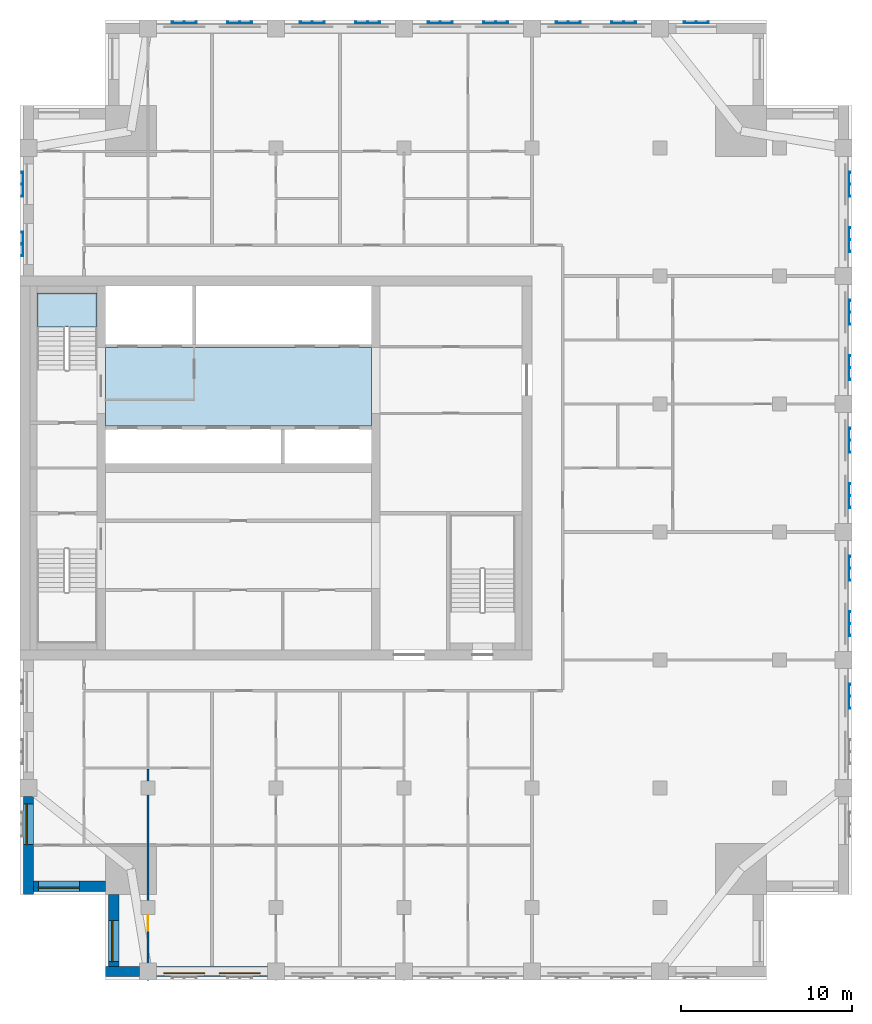
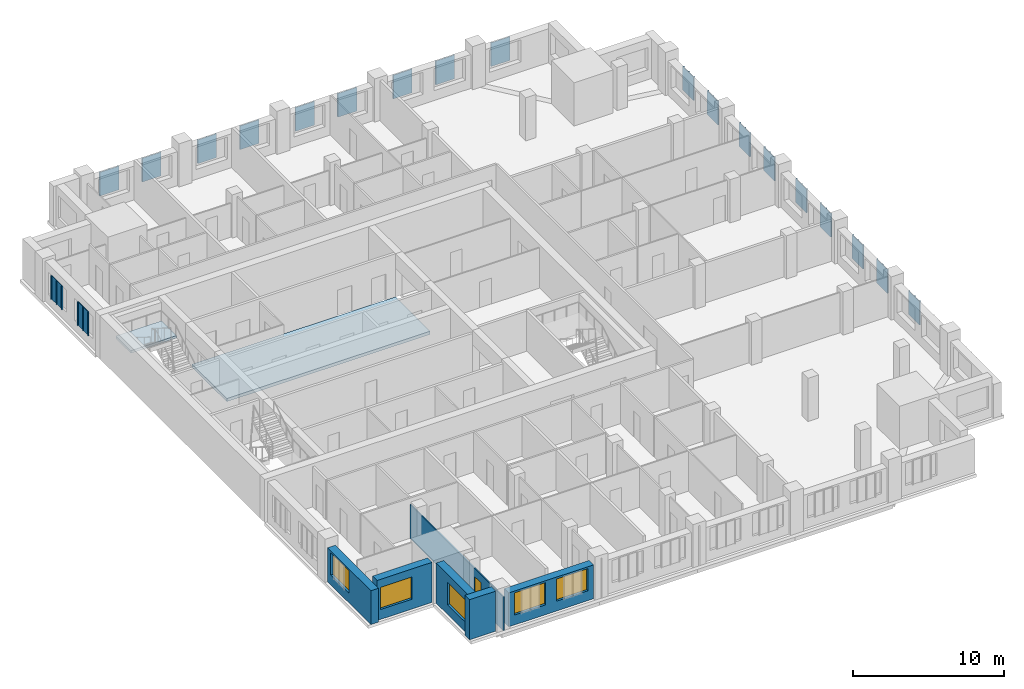
# One storey, part 2 of 10: 20 plates, 6 walls, 5 windows, 2 slabs, 1 door, 6 openings, 1 element without a shape of its own.
"""IFC4 building model written with IfcOpenShell, lengths in metres."""

from ifc_helpers import new_model, si_unit, direction, frame, frame_2d, origin, place, context, subcontext, project, spatial, polyline, rectangle, outline, extrude, material, layer, layer_set, type_object, element, fill, aggregate, save


model = new_model("IFC4")

# Units and contexts
model_context = context("Model", 3, precision=1e-05, world=origin(), true_north=direction((0.0, 1.0)))
body_context = subcontext(model_context, "Body", "Model", "MODEL_VIEW")
ifc_project = project(units=[si_unit("LENGTHUNIT", "METRE"), si_unit("AREAUNIT", "SQUARE_METRE"), si_unit("VOLUMEUNIT", "CUBIC_METRE"), si_unit("PLANEANGLEUNIT", "RADIAN"), si_unit("MASSUNIT", "GRAM", prefix="KILO")], contexts=[model_context])

# Site, building, storey
site_placement = place(None, origin())
site = spatial("IfcSite", under=ifc_project, at=site_placement, CompositionType="ELEMENT")
building_placement = place(site_placement, origin())
building = spatial("IfcBuilding", under=site, at=building_placement, Name="Tamorin Gate", CompositionType="ELEMENT")
storey_placement = place(building_placement, frame((0.0, 0.0, 223.199951171875)))
storey = spatial("IfcBuildingStorey", under=building, at=storey_placement, Name="L55", CompositionType="ELEMENT", Elevation=223.199951171875)

# Slab
ifc_material_1 = material(Name="Concrete C40/50", Category="concrete")
ifc_layer_1 = layer(ifc_material_1, 0.25)
ifc_layer_set_1 = layer_set([ifc_layer_1], Name="Core floor slab 250 C40/50")
slab_type_1 = type_object("IfcSlabType", Name="Core floor slab 250 C40/50", PredefinedType="FLOOR", material=ifc_layer_set_1)
slab_1_placement = place(storey_placement, frame((0.0, 0.0, -0.25)))
element("IfcSlab", 1, at=slab_1_placement, inside=storey, type_object=slab_type_1, Name="Core floor L55", PredefinedType="FLOOR", context=body_context, shape_type="SweptSolid", body=[
    extrude(outline(polyline([(50.60009765625, 73.699951171875), (35.0, 73.699951171875), (35.0, 78.300048828125), (50.60009765625, 78.300048828125), (50.60009765625, 73.699951171875)])), origin(), (0.0, 0.0, 1.0), 0.25),
])

# Stair, slab
stair_type = type_object("IfcStairType", Name="Exit stair", PredefinedType="HALF_TURN_STAIR", material=ifc_material_1)
stair_placement = place(storey_placement, origin())
stair = element("IfcStair", 2, at=stair_placement, inside=storey, type_object=stair_type, Name="L55 stair ST2", PredefinedType="HALF_TURN_STAIR")
ifc_layer_2 = layer(ifc_material_1, 0.199951171875)
ifc_layer_set_2 = layer_set([ifc_layer_2], Name="Exit stair landing 200")
slab_type_2 = type_object("IfcSlabType", Name="Exit stair landing 200", PredefinedType="LANDING", material=ifc_layer_set_2)
slab_2_placement = place(storey_placement, frame((0.0, 0.0, 1.550048828125)))
slab_2 = element("IfcSlab", 3, at=slab_2_placement, type_object=slab_type_2, Name="ST2 landing 1", PredefinedType="LANDING", context=body_context, shape_type="SweptSolid", body=[
    extrude(outline(polyline([(34.5, 79.52001953125), (34.5, 81.5), (31.0, 81.5), (31.0, 79.52001953125), (34.5, 79.52001953125)])), origin(), (0.0, 0.0, 1.0), 0.199951171875),
])
aggregate(stair, [slab_2])

# Plates
ifc_material_2 = material(Name="Perforated pale aluminium sheet", Category="aluminium")
ifc_layer_3 = layer(ifc_material_2, 0.0400390625)
ifc_layer_set_3 = layer_set([ifc_layer_3], Name="Pale metal solar screen 1440")
plate_type = type_object("IfcPlateType", Name="Pale metal solar screen 1440", PredefinedType="SHEET", material=ifc_layer_set_3)
plate_1_placement = place(storey_placement, frame((0.0, 0.0, 0.737548828125)))
element("IfcPlate", 4, at=plate_1_placement, inside=storey, type_object=plate_type, Name="Perforated solar screen", PredefinedType="SHEET", context=body_context, shape_type="SweptSolid", body=[
    extrude(outline(polyline([(78.590087890625, 57.155029296875), (78.550048828125, 57.155029296875), (78.550048828125, 57.215087890625), (78.550048828125, 57.844970703125), (78.550048828125, 57.905029296875), (78.550048828125, 58.534912109375), (78.550048828125, 58.594970703125), (78.590087890625, 58.594970703125), (78.64990234375, 58.594970703125), (78.64990234375, 58.534912109375), (78.590087890625, 58.534912109375), (78.590087890625, 57.905029296875), (78.64990234375, 57.905029296875), (78.64990234375, 57.844970703125), (78.590087890625, 57.844970703125), (78.590087890625, 57.215087890625), (78.64990234375, 57.215087890625), (78.64990234375, 57.155029296875), (78.590087890625, 57.155029296875)])), origin(), (0.0, 0.0, 1.0), 1.925048828125),
])
plate_2_placement = place(storey_placement, frame((0.0, 0.0, 0.737548828125)))
element("IfcPlate", 5, at=plate_2_placement, inside=storey, type_object=plate_type, Name="Perforated solar screen", PredefinedType="SHEET", context=body_context, shape_type="SweptSolid", body=[
    extrude(outline(polyline([(78.590087890625, 61.405029296875), (78.550048828125, 61.405029296875), (78.550048828125, 61.465087890625), (78.550048828125, 62.094970703125), (78.550048828125, 62.155029296875), (78.550048828125, 62.784912109375), (78.550048828125, 62.844970703125), (78.590087890625, 62.844970703125), (78.64990234375, 62.844970703125), (78.64990234375, 62.784912109375), (78.590087890625, 62.784912109375), (78.590087890625, 62.155029296875), (78.64990234375, 62.155029296875), (78.64990234375, 62.094970703125), (78.590087890625, 62.094970703125), (78.590087890625, 61.465087890625), (78.64990234375, 61.465087890625), (78.64990234375, 61.405029296875), (78.590087890625, 61.405029296875)])), origin(), (0.0, 0.0, 1.0), 1.925048828125),
])
plate_3_placement = place(storey_placement, frame((0.0, 0.0, 0.737548828125)))
element("IfcPlate", 6, at=plate_3_placement, inside=storey, type_object=plate_type, Name="Perforated solar screen", PredefinedType="SHEET", context=body_context, shape_type="SweptSolid", body=[
    extrude(outline(polyline([(78.590087890625, 64.655029296875), (78.550048828125, 64.655029296875), (78.550048828125, 64.715087890625), (78.550048828125, 65.344970703125), (78.550048828125, 65.405029296875), (78.550048828125, 66.034912109375), (78.550048828125, 66.094970703125), (78.590087890625, 66.094970703125), (78.64990234375, 66.094970703125), (78.64990234375, 66.034912109375), (78.590087890625, 66.034912109375), (78.590087890625, 65.405029296875), (78.64990234375, 65.405029296875), (78.64990234375, 65.344970703125), (78.590087890625, 65.344970703125), (78.590087890625, 64.715087890625), (78.64990234375, 64.715087890625), (78.64990234375, 64.655029296875), (78.590087890625, 64.655029296875)])), origin(), (0.0, 0.0, 1.0), 1.925048828125),
])
plate_4_placement = place(storey_placement, frame((0.0, 0.0, 0.737548828125)))
element("IfcPlate", 7, at=plate_4_placement, inside=storey, type_object=plate_type, Name="Perforated solar screen", PredefinedType="SHEET", context=body_context, shape_type="SweptSolid", body=[
    extrude(outline(polyline([(78.590087890625, 68.905029296875), (78.550048828125, 68.905029296875), (78.550048828125, 68.965087890625), (78.550048828125, 69.594970703125), (78.550048828125, 69.655029296875), (78.550048828125, 70.284912109375), (78.550048828125, 70.344970703125), (78.590087890625, 70.344970703125), (78.64990234375, 70.344970703125), (78.64990234375, 70.284912109375), (78.590087890625, 70.284912109375), (78.590087890625, 69.655029296875), (78.64990234375, 69.655029296875), (78.64990234375, 69.594970703125), (78.590087890625, 69.594970703125), (78.590087890625, 68.965087890625), (78.64990234375, 68.965087890625), (78.64990234375, 68.905029296875), (78.590087890625, 68.905029296875)])), origin(), (0.0, 0.0, 1.0), 1.925048828125),
])
plate_5_placement = place(storey_placement, frame((0.0, 0.0, 0.737548828125)))
element("IfcPlate", 8, at=plate_5_placement, inside=storey, type_object=plate_type, Name="Perforated solar screen", PredefinedType="SHEET", context=body_context, shape_type="SweptSolid", body=[
    extrude(outline(polyline([(78.590087890625, 72.155029296875), (78.550048828125, 72.155029296875), (78.550048828125, 72.215087890625), (78.550048828125, 72.844970703125), (78.550048828125, 72.905029296875), (78.550048828125, 73.534912109375), (78.550048828125, 73.594970703125), (78.590087890625, 73.594970703125), (78.64990234375, 73.594970703125), (78.64990234375, 73.534912109375), (78.590087890625, 73.534912109375), (78.590087890625, 72.905029296875), (78.64990234375, 72.905029296875), (78.64990234375, 72.844970703125), (78.590087890625, 72.844970703125), (78.590087890625, 72.215087890625), (78.64990234375, 72.215087890625), (78.64990234375, 72.155029296875), (78.590087890625, 72.155029296875)])), origin(), (0.0, 0.0, 1.0), 1.925048828125),
])
plate_6_placement = place(storey_placement, frame((0.0, 0.0, 0.737548828125)))
element("IfcPlate", 9, at=plate_6_placement, inside=storey, type_object=plate_type, Name="Perforated solar screen", PredefinedType="SHEET", context=body_context, shape_type="SweptSolid", body=[
    extrude(outline(polyline([(78.590087890625, 76.405029296875), (78.550048828125, 76.405029296875), (78.550048828125, 76.465087890625), (78.550048828125, 77.094970703125), (78.550048828125, 77.155029296875), (78.550048828125, 77.784912109375), (78.550048828125, 77.844970703125), (78.590087890625, 77.844970703125), (78.64990234375, 77.844970703125), (78.64990234375, 77.784912109375), (78.590087890625, 77.784912109375), (78.590087890625, 77.155029296875), (78.64990234375, 77.155029296875), (78.64990234375, 77.094970703125), (78.590087890625, 77.094970703125), (78.590087890625, 76.465087890625), (78.64990234375, 76.465087890625), (78.64990234375, 76.405029296875), (78.590087890625, 76.405029296875)])), origin(), (0.0, 0.0, 1.0), 1.925048828125),
])
plate_7_placement = place(storey_placement, frame((0.0, 0.0, 0.737548828125)))
element("IfcPlate", 10, at=plate_7_placement, inside=storey, type_object=plate_type, Name="Perforated solar screen", PredefinedType="SHEET", context=body_context, shape_type="SweptSolid", body=[
    extrude(outline(polyline([(78.590087890625, 79.655029296875), (78.550048828125, 79.655029296875), (78.550048828125, 79.715087890625), (78.550048828125, 80.344970703125), (78.550048828125, 80.405029296875), (78.550048828125, 81.034912109375), (78.550048828125, 81.094970703125), (78.590087890625, 81.094970703125), (78.64990234375, 81.094970703125), (78.64990234375, 81.034912109375), (78.590087890625, 81.034912109375), (78.590087890625, 80.405029296875), (78.64990234375, 80.405029296875), (78.64990234375, 80.344970703125), (78.590087890625, 80.344970703125), (78.590087890625, 79.715087890625), (78.64990234375, 79.715087890625), (78.64990234375, 79.655029296875), (78.590087890625, 79.655029296875)])), origin(), (0.0, 0.0, 1.0), 1.925048828125),
])
plate_8_placement = place(storey_placement, frame((0.0, 0.0, 0.737548828125)))
element("IfcPlate", 11, at=plate_8_placement, inside=storey, type_object=plate_type, Name="Perforated solar screen", PredefinedType="SHEET", context=body_context, shape_type="SweptSolid", body=[
    extrude(outline(polyline([(78.590087890625, 83.905029296875), (78.550048828125, 83.905029296875), (78.550048828125, 83.965087890625), (78.550048828125, 84.594970703125), (78.550048828125, 84.655029296875), (78.550048828125, 85.284912109375), (78.550048828125, 85.344970703125), (78.590087890625, 85.344970703125), (78.64990234375, 85.344970703125), (78.64990234375, 85.284912109375), (78.590087890625, 85.284912109375), (78.590087890625, 84.655029296875), (78.64990234375, 84.655029296875), (78.64990234375, 84.594970703125), (78.590087890625, 84.594970703125), (78.590087890625, 83.965087890625), (78.64990234375, 83.965087890625), (78.64990234375, 83.905029296875), (78.590087890625, 83.905029296875)])), origin(), (0.0, 0.0, 1.0), 1.925048828125),
])
plate_9_placement = place(storey_placement, frame((0.0, 0.0, 0.737548828125)))
element("IfcPlate", 12, at=plate_9_placement, inside=storey, type_object=plate_type, Name="Perforated solar screen", PredefinedType="SHEET", context=body_context, shape_type="SweptSolid", body=[
    extrude(outline(polyline([(78.590087890625, 87.155029296875), (78.550048828125, 87.155029296875), (78.550048828125, 87.215087890625), (78.550048828125, 87.844970703125), (78.550048828125, 87.905029296875), (78.550048828125, 88.534912109375), (78.550048828125, 88.594970703125), (78.590087890625, 88.594970703125), (78.64990234375, 88.594970703125), (78.64990234375, 88.534912109375), (78.590087890625, 88.534912109375), (78.590087890625, 87.905029296875), (78.64990234375, 87.905029296875), (78.64990234375, 87.844970703125), (78.590087890625, 87.844970703125), (78.590087890625, 87.215087890625), (78.64990234375, 87.215087890625), (78.64990234375, 87.155029296875), (78.590087890625, 87.155029296875)])), origin(), (0.0, 0.0, 1.0), 1.925048828125),
])
plate_10_placement = place(storey_placement, frame((0.0, 0.0, 0.737548828125)))
element("IfcPlate", 13, at=plate_10_placement, inside=storey, type_object=plate_type, Name="Perforated solar screen", PredefinedType="SHEET", context=body_context, shape_type="SweptSolid", body=[
    extrude(outline(polyline([(70.344970703125, 97.340087890625), (70.344970703125, 97.300048828125), (70.284912109375, 97.300048828125), (69.655029296875, 97.300048828125), (69.594970703125, 97.300048828125), (68.965087890625, 97.300048828125), (68.905029296875, 97.300048828125), (68.905029296875, 97.300048828125), (68.905029296875, 97.340087890625), (68.905029296875, 97.340087890625), (68.905029296875, 97.39990234375), (68.965087890625, 97.39990234375), (68.965087890625, 97.340087890625), (69.594970703125, 97.340087890625), (69.594970703125, 97.39990234375), (69.655029296875, 97.39990234375), (69.655029296875, 97.340087890625), (70.284912109375, 97.340087890625), (70.284912109375, 97.39990234375), (70.344970703125, 97.39990234375), (70.344970703125, 97.340087890625)])), origin(), (0.0, 0.0, 1.0), 1.925048828125),
])
plate_11_placement = place(storey_placement, frame((0.0, 0.0, 0.737548828125)))
element("IfcPlate", 14, at=plate_11_placement, inside=storey, type_object=plate_type, Name="Perforated solar screen", PredefinedType="SHEET", context=body_context, shape_type="SweptSolid", body=[
    extrude(outline(polyline([(62.844970703125, 97.340087890625), (62.844970703125, 97.300048828125), (62.784912109375, 97.300048828125), (62.155029296875, 97.300048828125), (62.094970703125, 97.300048828125), (61.465087890625, 97.300048828125), (61.405029296875, 97.300048828125), (61.405029296875, 97.340087890625), (61.405029296875, 97.39990234375), (61.465087890625, 97.39990234375), (61.465087890625, 97.340087890625), (62.094970703125, 97.340087890625), (62.094970703125, 97.39990234375), (62.155029296875, 97.39990234375), (62.155029296875, 97.340087890625), (62.784912109375, 97.340087890625), (62.784912109375, 97.39990234375), (62.844970703125, 97.39990234375), (62.844970703125, 97.340087890625)])), origin(), (0.0, 0.0, 1.0), 1.925048828125),
])
plate_12_placement = place(storey_placement, frame((0.0, 0.0, 0.737548828125)))
element("IfcPlate", 15, at=plate_12_placement, inside=storey, type_object=plate_type, Name="Perforated solar screen", PredefinedType="SHEET", context=body_context, shape_type="SweptSolid", body=[
    extrude(outline(polyline([(66.094970703125, 97.340087890625), (66.094970703125, 97.300048828125), (66.034912109375, 97.300048828125), (65.405029296875, 97.300048828125), (65.344970703125, 97.300048828125), (64.715087890625, 97.300048828125), (64.655029296875, 97.300048828125), (64.655029296875, 97.340087890625), (64.655029296875, 97.39990234375), (64.715087890625, 97.39990234375), (64.715087890625, 97.340087890625), (65.344970703125, 97.340087890625), (65.344970703125, 97.39990234375), (65.405029296875, 97.39990234375), (65.405029296875, 97.340087890625), (66.034912109375, 97.340087890625), (66.034912109375, 97.39990234375), (66.094970703125, 97.39990234375), (66.094970703125, 97.340087890625)])), origin(), (0.0, 0.0, 1.0), 1.925048828125),
])
plate_13_placement = place(storey_placement, frame((0.0, 0.0, 0.737548828125)))
element("IfcPlate", 16, at=plate_13_placement, inside=storey, type_object=plate_type, Name="Perforated solar screen", PredefinedType="SHEET", context=body_context, shape_type="SweptSolid", body=[
    extrude(outline(polyline([(55.344970703125, 97.340087890625), (55.344970703125, 97.300048828125), (55.284912109375, 97.300048828125), (54.655029296875, 97.300048828125), (54.594970703125, 97.300048828125), (53.965087890625, 97.300048828125), (53.905029296875, 97.300048828125), (53.905029296875, 97.340087890625), (53.905029296875, 97.39990234375), (53.965087890625, 97.39990234375), (53.965087890625, 97.340087890625), (54.594970703125, 97.340087890625), (54.594970703125, 97.39990234375), (54.655029296875, 97.39990234375), (54.655029296875, 97.340087890625), (55.284912109375, 97.340087890625), (55.284912109375, 97.39990234375), (55.344970703125, 97.39990234375), (55.344970703125, 97.340087890625)])), origin(), (0.0, 0.0, 1.0), 1.925048828125),
])
plate_14_placement = place(storey_placement, frame((0.0, 0.0, 0.737548828125)))
element("IfcPlate", 17, at=plate_14_placement, inside=storey, type_object=plate_type, Name="Perforated solar screen", PredefinedType="SHEET", context=body_context, shape_type="SweptSolid", body=[
    extrude(outline(polyline([(58.594970703125, 97.340087890625), (58.594970703125, 97.300048828125), (58.534912109375, 97.300048828125), (57.905029296875, 97.300048828125), (57.844970703125, 97.300048828125), (57.215087890625, 97.300048828125), (57.155029296875, 97.300048828125), (57.155029296875, 97.340087890625), (57.155029296875, 97.39990234375), (57.215087890625, 97.39990234375), (57.215087890625, 97.340087890625), (57.844970703125, 97.340087890625), (57.844970703125, 97.39990234375), (57.905029296875, 97.39990234375), (57.905029296875, 97.340087890625), (58.534912109375, 97.340087890625), (58.534912109375, 97.39990234375), (58.594970703125, 97.39990234375), (58.594970703125, 97.340087890625)])), origin(), (0.0, 0.0, 1.0), 1.925048828125),
])
plate_15_placement = place(storey_placement, frame((0.0, 0.0, 0.737548828125)))
element("IfcPlate", 18, at=plate_15_placement, inside=storey, type_object=plate_type, Name="Perforated solar screen", PredefinedType="SHEET", context=body_context, shape_type="SweptSolid", body=[
    extrude(outline(polyline([(47.844970703125, 97.340087890625), (47.844970703125, 97.300048828125), (47.784912109375, 97.300048828125), (47.155029296875, 97.300048828125), (47.094970703125, 97.300048828125), (46.465087890625, 97.300048828125), (46.405029296875, 97.300048828125), (46.405029296875, 97.340087890625), (46.405029296875, 97.39990234375), (46.465087890625, 97.39990234375), (46.465087890625, 97.340087890625), (47.094970703125, 97.340087890625), (47.094970703125, 97.39990234375), (47.155029296875, 97.39990234375), (47.155029296875, 97.340087890625), (47.784912109375, 97.340087890625), (47.784912109375, 97.39990234375), (47.844970703125, 97.39990234375), (47.844970703125, 97.340087890625)])), origin(), (0.0, 0.0, 1.0), 1.925048828125),
])
plate_16_placement = place(storey_placement, frame((0.0, 0.0, 0.737548828125)))
element("IfcPlate", 19, at=plate_16_placement, inside=storey, type_object=plate_type, Name="Perforated solar screen", PredefinedType="SHEET", context=body_context, shape_type="SweptSolid", body=[
    extrude(outline(polyline([(51.094970703125, 97.340087890625), (51.094970703125, 97.300048828125), (51.034912109375, 97.300048828125), (50.405029296875, 97.300048828125), (50.344970703125, 97.300048828125), (49.715087890625, 97.300048828125), (49.655029296875, 97.300048828125), (49.655029296875, 97.340087890625), (49.655029296875, 97.39990234375), (49.715087890625, 97.39990234375), (49.715087890625, 97.340087890625), (50.344970703125, 97.340087890625), (50.344970703125, 97.39990234375), (50.405029296875, 97.39990234375), (50.405029296875, 97.340087890625), (51.034912109375, 97.340087890625), (51.034912109375, 97.39990234375), (51.094970703125, 97.39990234375), (51.094970703125, 97.340087890625)])), origin(), (0.0, 0.0, 1.0), 1.925048828125),
])
plate_17_placement = place(storey_placement, frame((0.0, 0.0, 0.737548828125)))
element("IfcPlate", 20, at=plate_17_placement, inside=storey, type_object=plate_type, Name="Perforated solar screen", PredefinedType="SHEET", context=body_context, shape_type="SweptSolid", body=[
    extrude(outline(polyline([(40.344970703125, 97.340087890625), (40.344970703125, 97.300048828125), (40.284912109375, 97.300048828125), (39.655029296875, 97.300048828125), (39.594970703125, 97.300048828125), (38.965087890625, 97.300048828125), (38.905029296875, 97.300048828125), (38.905029296875, 97.340087890625), (38.905029296875, 97.39990234375), (38.965087890625, 97.39990234375), (38.965087890625, 97.340087890625), (39.594970703125, 97.340087890625), (39.594970703125, 97.39990234375), (39.655029296875, 97.39990234375), (39.655029296875, 97.340087890625), (40.284912109375, 97.340087890625), (40.284912109375, 97.39990234375), (40.344970703125, 97.39990234375), (40.344970703125, 97.340087890625)])), origin(), (0.0, 0.0, 1.0), 1.925048828125),
])
plate_18_placement = place(storey_placement, frame((0.0, 0.0, 0.737548828125)))
element("IfcPlate", 21, at=plate_18_placement, inside=storey, type_object=plate_type, Name="Perforated solar screen", PredefinedType="SHEET", context=body_context, shape_type="SweptSolid", body=[
    extrude(outline(polyline([(43.594970703125, 97.340087890625), (43.594970703125, 97.300048828125), (43.534912109375, 97.300048828125), (42.905029296875, 97.300048828125), (42.844970703125, 97.300048828125), (42.215087890625, 97.300048828125), (42.155029296875, 97.300048828125), (42.155029296875, 97.340087890625), (42.155029296875, 97.39990234375), (42.215087890625, 97.39990234375), (42.215087890625, 97.340087890625), (42.844970703125, 97.340087890625), (42.844970703125, 97.39990234375), (42.905029296875, 97.39990234375), (42.905029296875, 97.340087890625), (43.534912109375, 97.340087890625), (43.534912109375, 97.39990234375), (43.594970703125, 97.39990234375), (43.594970703125, 97.340087890625)])), origin(), (0.0, 0.0, 1.0), 1.925048828125),
])
plate_19_placement = place(storey_placement, frame((0.0, 0.0, 0.737548828125)))
element("IfcPlate", 22, at=plate_19_placement, inside=storey, type_object=plate_type, Name="Perforated solar screen", PredefinedType="SHEET", context=body_context, shape_type="SweptSolid", body=[
    extrude(outline(polyline([(30.159912109375, 85.094970703125), (30.199951171875, 85.094970703125), (30.199951171875, 85.034912109375), (30.199951171875, 84.405029296875), (30.199951171875, 84.344970703125), (30.199951171875, 83.715087890625), (30.199951171875, 83.655029296875), (30.159912109375, 83.655029296875), (30.10009765625, 83.655029296875), (30.10009765625, 83.715087890625), (30.159912109375, 83.715087890625), (30.159912109375, 84.344970703125), (30.10009765625, 84.344970703125), (30.10009765625, 84.405029296875), (30.159912109375, 84.405029296875), (30.159912109375, 85.034912109375), (30.10009765625, 85.034912109375), (30.10009765625, 85.094970703125), (30.159912109375, 85.094970703125)])), origin(), (0.0, 0.0, 1.0), 1.925048828125),
])
plate_20_placement = place(storey_placement, frame((0.0, 0.0, 0.737548828125)))
element("IfcPlate", 23, at=plate_20_placement, inside=storey, type_object=plate_type, Name="Perforated solar screen", PredefinedType="SHEET", context=body_context, shape_type="SweptSolid", body=[
    extrude(outline(polyline([(30.159912109375, 88.594970703125), (30.199951171875, 88.594970703125), (30.199951171875, 88.534912109375), (30.199951171875, 87.905029296875), (30.199951171875, 87.844970703125), (30.199951171875, 87.215087890625), (30.199951171875, 87.155029296875), (30.199951171875, 87.155029296875), (30.159912109375, 87.155029296875), (30.159912109375, 87.155029296875), (30.10009765625, 87.155029296875), (30.10009765625, 87.215087890625), (30.159912109375, 87.215087890625), (30.159912109375, 87.844970703125), (30.10009765625, 87.844970703125), (30.10009765625, 87.905029296875), (30.159912109375, 87.905029296875), (30.159912109375, 88.534912109375), (30.10009765625, 88.534912109375), (30.10009765625, 88.594970703125), (30.159912109375, 88.594970703125)])), origin(), (0.0, 0.0, 1.0), 1.925048828125),
])

# Wall
ifc_material_3 = material(Name="Precast concrete C40/50", Category="concrete")
ifc_layer_4 = layer(ifc_material_3, 0.60009765625)
ifc_layer_set_4 = layer_set([ifc_layer_4], Name="Precast concrete C40/50")
wall_type_1 = type_object("IfcWallType", Name="Board-marked concrete facade panel 600", PredefinedType="SOLIDWALL", material=ifc_layer_set_4)
wall_1_placement = place(storey_placement, frame((35.0, 41.75, 0.0), z_axis=(0.0, 0.0, 1.0), x_axis=(1.0, 0.0, 0.0)))
element("IfcWall", 24, at=wall_1_placement, inside=storey, type_object=wall_type_1, Name="Facade panel", PredefinedType="SOLIDWALL", context=body_context, shape_type="SweptSolid", body=[
    extrude(rectangle(XDim=2.0, YDim=0.60009765625, at=frame_2d((1.0, 0.0))), origin(), (0.0, 0.0, 1.0), 3.25),
])

# Wall, openings, windows
wall_2_placement = place(storey_placement, frame((38.0, 41.75, 0.0), z_axis=(0.0, 0.0, 1.0), x_axis=(1.0, 0.0, 0.0)))
wall_2 = element("IfcWall", 25, at=wall_2_placement, inside=storey, type_object=wall_type_1, Name="Facade panel", PredefinedType="SOLIDWALL", context=body_context, shape_type="SweptSolid", body=[
    extrude(rectangle(XDim=6.5, YDim=0.60009765625, at=frame_2d((3.25, 0.0))), origin(), (0.0, 0.0, 1.0), 2.75),
])
opening_1_placement = place(wall_2_placement, frame((0.425048828125, 0.0, 0.800048828125)))
opening_1 = element("IfcOpeningElement", 26, at=opening_1_placement, cuts=wall_2, Name="Opening WN1", PredefinedType="OPENING", context=body_context, shape_type="SweptSolid", body=[
    extrude(rectangle(XDim=2.39990234375, YDim=1.800048828125, at=frame_2d((1.199951171875, 0.89990234375))), frame((0.0, 0.31005859375, 0.0), z_axis=(0.0, -1.0, 0.0), x_axis=(1.0, 0.0, 0.0)), (0.0, 0.0, 1.0), 0.6201171875),
])
opening_2_placement = place(wall_2_placement, frame((3.675048828125, 0.0, 0.800048828125)))
opening_2 = element("IfcOpeningElement", 27, at=opening_2_placement, cuts=wall_2, Name="Opening WN1", PredefinedType="OPENING", context=body_context, shape_type="SweptSolid", body=[
    extrude(rectangle(XDim=2.39990234375, YDim=1.800048828125, at=frame_2d((1.199951171875, 0.89990234375))), frame((0.0, 0.31005859375, 0.0), z_axis=(0.0, -1.0, 0.0), x_axis=(1.0, 0.0, 0.0)), (0.0, 0.0, 1.0), 0.6201171875),
])
ifc_material_4 = material(Name="Clear glass in aluminium frame", Category="aluminium")
window_type = type_object("IfcWindowType", Name="Deep-set window 2400x1800", PartitioningType="SINGLE_PANEL", PredefinedType="WINDOW", material=ifc_material_4)
window_1_placement = place(opening_1_placement, origin())
window_1 = element("IfcWindow", 28, at=window_1_placement, inside=storey, type_object=window_type, Name="Deep-set window", OverallHeight=1.800048828125, OverallWidth=2.39990234375, PartitioningType="SINGLE_PANEL", PredefinedType="WINDOW", context=body_context, shape_type="SweptSolid", body=[
    extrude(rectangle(XDim=2.39990234375, YDim=1.800048828125, at=frame_2d((1.199951171875, 0.89990234375))), frame((0.0, -0.070068359375, 0.0), z_axis=(0.0, -1.0, 0.0), x_axis=(1.0, 0.0, 0.0)), (0.0, 0.0, 1.0), 0.06005859375),
])
fill(opening_1, window_1)
window_2_placement = place(opening_2_placement, origin())
window_2 = element("IfcWindow", 29, at=window_2_placement, inside=storey, type_object=window_type, Name="Deep-set window", OverallHeight=1.800048828125, OverallWidth=2.39990234375, PartitioningType="SINGLE_PANEL", PredefinedType="WINDOW", context=body_context, shape_type="SweptSolid", body=[
    extrude(rectangle(XDim=2.39990234375, YDim=1.800048828125, at=frame_2d((1.199951171875, 0.89990234375))), frame((0.0, -0.070068359375, 0.0), z_axis=(0.0, -1.0, 0.0), x_axis=(1.0, 0.0, 0.0)), (0.0, 0.0, 1.0), 0.06005859375),
])
fill(opening_2, window_2)

# Wall, opening, window
wall_3_placement = place(storey_placement, frame((30.5, 52.0, 0.0), z_axis=(0.0, 0.0, 1.0), x_axis=(0.0, -1.0, 0.0)))
wall_3 = element("IfcWall", 30, at=wall_3_placement, inside=storey, type_object=wall_type_1, Name="Facade panel", PredefinedType="SOLIDWALL", context=body_context, shape_type="SweptSolid", body=[
    extrude(rectangle(XDim=5.75, YDim=0.60009765625, at=frame_2d((2.875, 0.0))), origin(), (0.0, 0.0, 1.0), 2.75),
])
opening_3_placement = place(wall_3_placement, frame((0.425048828125, 0.0, 0.800048828125)))
opening_3 = element("IfcOpeningElement", 31, at=opening_3_placement, cuts=wall_3, Name="Opening WN1", PredefinedType="OPENING", context=body_context, shape_type="SweptSolid", body=[
    extrude(rectangle(XDim=2.39990234375, YDim=1.800048828125, at=frame_2d((1.199951171875, 0.89990234375))), frame((0.0, 0.31005859375, 0.0), z_axis=(0.0, -1.0, 0.0), x_axis=(1.0, 0.0, 0.0)), (0.0, 0.0, 1.0), 0.6201171875),
])
window_3_placement = place(opening_3_placement, origin())
window_3 = element("IfcWindow", 32, at=window_3_placement, inside=storey, type_object=window_type, Name="Deep-set window", OverallHeight=1.800048828125, OverallWidth=2.39990234375, PartitioningType="SINGLE_PANEL", PredefinedType="WINDOW", context=body_context, shape_type="SweptSolid", body=[
    extrude(rectangle(XDim=2.39990234375, YDim=1.800048828125, at=frame_2d((1.199951171875, 0.89990234375))), frame((0.0, -0.070068359375, 0.0), z_axis=(0.0, -1.0, 0.0), x_axis=(1.0, 0.0, 0.0)), (0.0, 0.0, 1.0), 0.06005859375),
])
fill(opening_3, window_3)

wall_4_placement = place(storey_placement, frame((30.800048828125, 46.75, 0.0), z_axis=(0.0, 0.0, 1.0), x_axis=(1.0, 0.0, 0.0)))
wall_4 = element("IfcWall", 33, at=wall_4_placement, inside=storey, type_object=wall_type_1, Name="Facade panel", PredefinedType="SOLIDWALL", context=body_context, shape_type="SweptSolid", body=[
    extrude(rectangle(XDim=4.199951171875, YDim=0.60009765625, at=frame_2d((2.10009765625, 0.0))), origin(), (0.0, 0.0, 1.0), 3.25),
])
opening_4_placement = place(wall_4_placement, frame((0.27490234375, 0.0, 0.800048828125)))
opening_4 = element("IfcOpeningElement", 34, at=opening_4_placement, cuts=wall_4, Name="Opening WN1", PredefinedType="OPENING", context=body_context, shape_type="SweptSolid", body=[
    extrude(rectangle(XDim=2.39990234375, YDim=1.800048828125, at=frame_2d((1.199951171875, 0.89990234375))), frame((0.0, 0.31005859375, 0.0), z_axis=(0.0, -1.0, 0.0), x_axis=(1.0, 0.0, 0.0)), (0.0, 0.0, 1.0), 0.6201171875),
])
window_4_placement = place(opening_4_placement, origin())
window_4 = element("IfcWindow", 35, at=window_4_placement, inside=storey, type_object=window_type, Name="Deep-set window", OverallHeight=1.800048828125, OverallWidth=2.39990234375, PartitioningType="SINGLE_PANEL", PredefinedType="WINDOW", context=body_context, shape_type="SweptSolid", body=[
    extrude(rectangle(XDim=2.39990234375, YDim=1.800048828125, at=frame_2d((1.199951171875, 0.89990234375))), frame((0.0, -0.070068359375, 0.0), z_axis=(0.0, -1.0, 0.0), x_axis=(1.0, 0.0, 0.0)), (0.0, 0.0, 1.0), 0.06005859375),
])
fill(opening_4, window_4)

wall_5_placement = place(storey_placement, frame((35.5, 46.25, 0.0), z_axis=(0.0, 0.0, 1.0), x_axis=(0.0, -1.0, 0.0)))
wall_5 = element("IfcWall", 36, at=wall_5_placement, inside=storey, type_object=wall_type_1, Name="Facade panel", PredefinedType="SOLIDWALL", context=body_context, shape_type="SweptSolid", body=[
    extrude(rectangle(XDim=4.199951171875, YDim=0.60009765625, at=frame_2d((2.10009765625, 0.0))), origin(), (0.0, 0.0, 1.0), 3.25),
])
opening_5_placement = place(wall_5_placement, frame((1.52490234375, 0.0, 0.800048828125)))
opening_5 = element("IfcOpeningElement", 37, at=opening_5_placement, cuts=wall_5, Name="Opening WN1", PredefinedType="OPENING", context=body_context, shape_type="SweptSolid", body=[
    extrude(rectangle(XDim=2.39990234375, YDim=1.800048828125, at=frame_2d((1.199951171875, 0.89990234375))), frame((0.0, 0.31005859375, 0.0), z_axis=(0.0, -1.0, 0.0), x_axis=(1.0, 0.0, 0.0)), (0.0, 0.0, 1.0), 0.6201171875),
])
window_5_placement = place(opening_5_placement, origin())
window_5 = element("IfcWindow", 38, at=window_5_placement, inside=storey, type_object=window_type, Name="Deep-set window", OverallHeight=1.800048828125, OverallWidth=2.39990234375, PartitioningType="SINGLE_PANEL", PredefinedType="WINDOW", context=body_context, shape_type="SweptSolid", body=[
    extrude(rectangle(XDim=2.39990234375, YDim=1.800048828125, at=frame_2d((1.199951171875, 0.89990234375))), frame((0.0, -0.070068359375, 0.0), z_axis=(0.0, -1.0, 0.0), x_axis=(1.0, 0.0, 0.0)), (0.0, 0.0, 1.0), 0.06005859375),
])
fill(opening_5, window_5)

# Wall, opening, door
ifc_material_5 = material(Name="Gypsum board partition")
ifc_layer_5 = layer(ifc_material_5, 0.10009765625)
ifc_layer_set_5 = layer_set([ifc_layer_5], Name="Room partition 100")
wall_type_2 = type_object("IfcWallType", Name="Room partition 100", PredefinedType="PARTITIONING", material=ifc_layer_set_5)
wall_6_placement = place(storey_placement, frame((37.5, 41.25, 0.0), z_axis=(0.0, 0.0, 1.0), x_axis=(0.0, 1.0, 0.0)))
wall_6 = element("IfcWall", 39, at=wall_6_placement, inside=storey, type_object=wall_type_2, Name="Room partition 100", PredefinedType="PARTITIONING", context=body_context, shape_type="SweptSolid", body=[
    extrude(rectangle(XDim=12.362548828125, YDim=0.10009765625, at=frame_2d((6.18115234375, 0.0))), origin(), (0.0, 0.0, 1.0), 2.75),
])
opening_6_placement = place(wall_6_placement, frame((2.89990234375, 0.0, 0.0)))
opening_6 = element("IfcOpeningElement", 40, at=opening_6_placement, cuts=wall_6, Name="Opening DR5007", PredefinedType="OPENING", context=body_context, shape_type="SweptSolid", body=[
    extrude(rectangle(XDim=0.89990234375, YDim=2.10009765625, at=frame_2d((0.449951171875, 1.050048828125))), frame((0.0, 0.06005859375, 0.0), z_axis=(0.0, -1.0, 0.0), x_axis=(1.0, 0.0, 0.0)), (0.0, 0.0, 1.0), 0.1201171875),
])
ifc_material_6 = material(Name="Timber door leaf", Category="wood")
door_type = type_object("IfcDoorType", Name="Door 900 x 2100", OperationType="NOTDEFINED", PredefinedType="DOOR", material=ifc_material_6)
door_placement = place(opening_6_placement, origin())
door = element("IfcDoor", 41, at=door_placement, inside=storey, type_object=door_type, Name="Door DR5007", OperationType="SINGLE_SWING_LEFT", OverallHeight=2.10009765625, OverallWidth=0.89990234375, PredefinedType="DOOR", context=body_context, shape_type="SweptSolid", body=[
    extrude(rectangle(XDim=0.89990234375, YDim=2.10009765625, at=frame_2d((0.449951171875, 1.050048828125))), frame((0.0, 0.02490234375, 0.0), z_axis=(0.0, -1.0, 0.0), x_axis=(1.0, 0.0, 0.0)), (0.0, 0.0, 1.0), 0.050048828125),
])
fill(opening_6, door)

save(model, "model.ifc")
